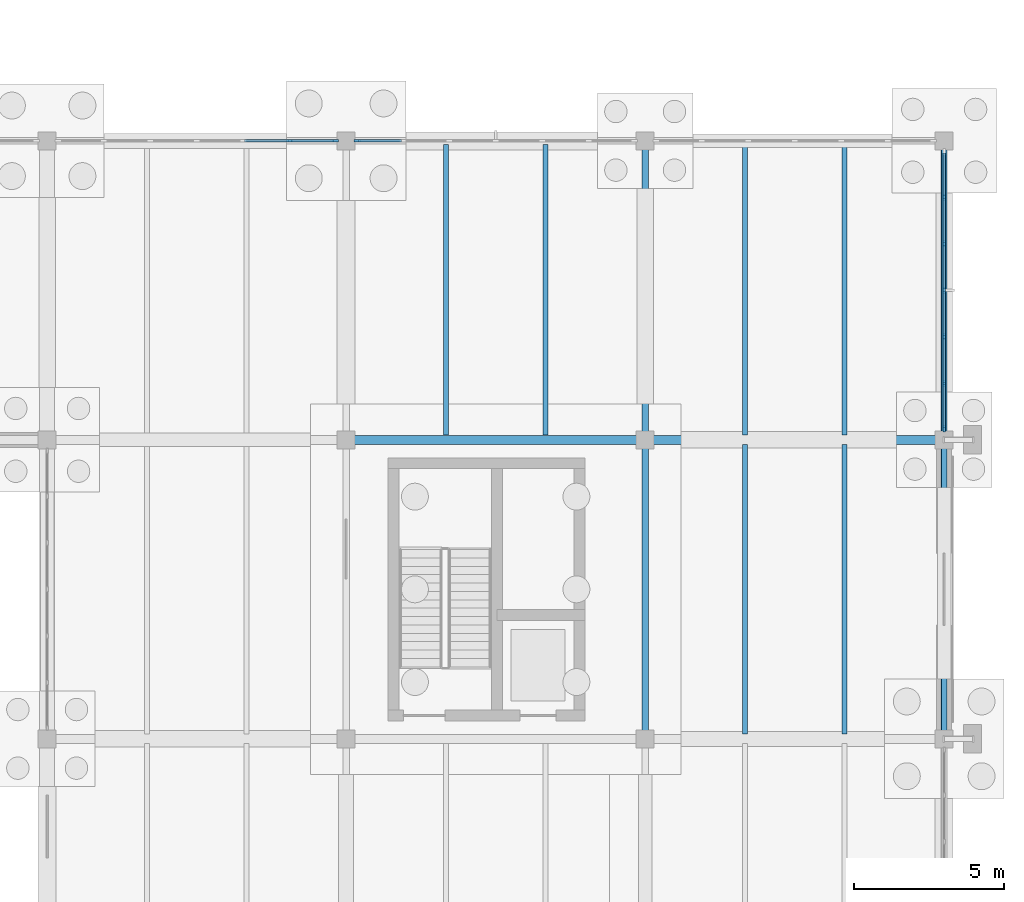
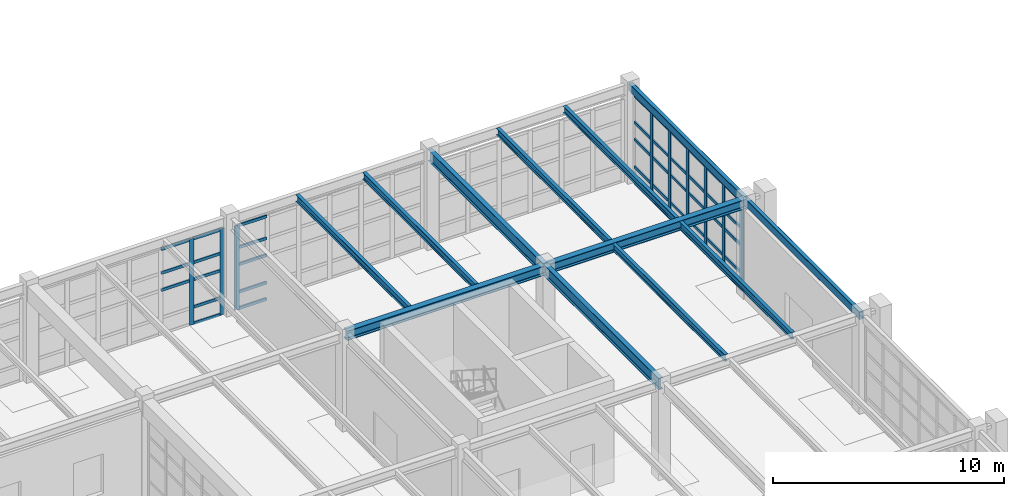
# One storey, part 76 of 145: 52 members, 12 beams, 3 elements without a shape of their own.
"""IFC4 building model written with IfcOpenShell, lengths in metres."""

from ifc_helpers import new_model, si_unit, direction, frame, origin, origin_2d, place, context, subcontext, project, spatial, rectangle, hollow_rectangle, i_section, extrude, material, layer, layer_set, material_profile, profile_set, type_object, element, aggregate, save


model = new_model("IFC4")

# Units and contexts
model_context = context("Model", 3, precision=1e-05, world=origin(), true_north=direction((0.0, 1.0)))
body_context = subcontext(model_context, "Body", "Model", "MODEL_VIEW")
ifc_project = project(units=[si_unit("LENGTHUNIT", "METRE"), si_unit("AREAUNIT", "SQUARE_METRE"), si_unit("VOLUMEUNIT", "CUBIC_METRE"), si_unit("PLANEANGLEUNIT", "RADIAN"), si_unit("MASSUNIT", "GRAM", prefix="KILO"), si_unit("THERMODYNAMICTEMPERATUREUNIT", "KELVIN"), si_unit("POWERUNIT", "WATT")], contexts=[model_context])

# Site, building, storey
site_placement = place(None, origin())
site = spatial("IfcSite", under=ifc_project, at=site_placement, CompositionType="ELEMENT")
building_placement = place(site_placement, origin())
building = spatial("IfcBuilding", under=site, at=building_placement, Name="Korenveer Ferry Terminal", CompositionType="ELEMENT")
storey_placement = place(building_placement, origin())
storey = spatial("IfcBuildingStorey", under=building, at=storey_placement, Name="L00", CompositionType="ELEMENT", Elevation=0.0)

# Curtain wall, members
ifc_material_1 = material(Name="Unitised bronze-and-glass curtain wall", Category="glass")
ifc_layer_1 = layer(ifc_material_1, 0.219970703125)
ifc_layer_set_1 = layer_set([ifc_layer_1], Name="Unitised bronze-and-glass curtain wall")
curtain_wall_type_1 = type_object("IfcCurtainWallType", Name="ENV-CW-10", PredefinedType="USERDEFINED", material=ifc_layer_set_1)
curtain_wall_1_placement = place(storey_placement, frame((146.330078125, 80.0, 0.0)))
curtain_wall_1 = element("IfcCurtainWall", 1, at=curtain_wall_1_placement, inside=storey, type_object=curtain_wall_type_1, Name="Lancet curtain wall CWX-L00-X146-156-Y80-80", ObjectType="UNITISED CURTAIN WALL", PredefinedType="USERDEFINED")
ifc_material_2 = material(Name="Anodised bronze aluminium", Category="aluminium")
ifc_material_profile_1 = material_profile(ifc_material_2, rectangle(XDim=0.074951171875, YDim=0.219970703125, at=origin_2d()), Name="ALU 75x220")
ifc_profile_set_1 = profile_set([ifc_material_profile_1], Name="Anodised bronze aluminium")
member_type_1 = type_object("IfcMemberType", Name="ENV-CWM-75X220", PredefinedType="MULLION", material=ifc_profile_set_1)
member_1_placement = place(storey_placement, frame((154.11328125, 80.0, 0.0), z_axis=(0.0, 0.0, 1.0), x_axis=(0.0, 1.0, 0.0)))
member_1 = element("IfcMember", 2, at=member_1_placement, type_object=member_type_1, Name="CW-10 mullion 6", PredefinedType="MULLION", context=body_context, shape_type="SweptSolid", body=[
    extrude(rectangle(XDim=0.074951171875, YDim=0.219970703125, at=origin_2d()), origin(), (0.0, 0.0, 1.0), 4.5400390625),
])
member_2_placement = place(storey_placement, frame((155.632568359375, 80.0, 0.0), z_axis=(0.0, 0.0, 1.0), x_axis=(0.0, 1.0, 0.0)))
member_2 = element("IfcMember", 3, at=member_2_placement, type_object=member_type_1, Name="CW-10 mullion 7", PredefinedType="MULLION", context=body_context, shape_type="SweptSolid", body=[
    extrude(rectangle(XDim=0.074951171875, YDim=0.219970703125, at=origin_2d()), origin(), (0.0, 0.0, 1.0), 4.5400390625),
])

# Curtain wall, member
ifc_layer_2 = layer(ifc_material_1, 0.219970703125)
ifc_layer_set_2 = layer_set([ifc_layer_2], Name="Unitised bronze-and-glass curtain wall")
curtain_wall_type_2 = type_object("IfcCurtainWallType", Name="ENV-CW-08", PredefinedType="USERDEFINED", material=ifc_layer_set_2)
curtain_wall_2_placement = place(storey_placement, frame((156.330078125, 80.0, 0.0)))
curtain_wall_2 = element("IfcCurtainWall", 4, at=curtain_wall_2_placement, inside=storey, type_object=curtain_wall_type_2, Name="Lancet curtain wall CWX-L00-X156-166-Y80-80", ObjectType="UNITISED CURTAIN WALL", PredefinedType="USERDEFINED")
member_3_placement = place(storey_placement, frame((156.367431640625, 80.0, 0.0), z_axis=(0.0, 0.0, 1.0), x_axis=(0.0, 1.0, 0.0)))
member_3 = element("IfcMember", 5, at=member_3_placement, type_object=member_type_1, Name="CW-08 mullion 1", PredefinedType="MULLION", context=body_context, shape_type="SweptSolid", body=[
    extrude(rectangle(XDim=0.074951171875, YDim=0.219970703125, at=origin_2d()), origin(), (0.0, 0.0, 1.0), 4.43994140625),
])

# Curtain wall, members
ifc_layer_3 = layer(ifc_material_1, 0.219970703125)
ifc_layer_set_3 = layer_set([ifc_layer_3], Name="Unitised bronze-and-glass curtain wall")
curtain_wall_type_3 = type_object("IfcCurtainWallType", Name="ENV-CW-36", PredefinedType="USERDEFINED", material=ifc_layer_set_3)
curtain_wall_3_placement = place(storey_placement, frame((176.0, 79.669921875, 0.0)))
curtain_wall_3 = element("IfcCurtainWall", 6, at=curtain_wall_3_placement, inside=storey, type_object=curtain_wall_type_3, Name="Lancet curtain wall CWX-L00-X176-176-Y70-80", ObjectType="UNITISED CURTAIN WALL", PredefinedType="USERDEFINED")
member_4_placement = place(storey_placement, frame((176.0, 78.11328125, 0.0), z_axis=(0.0, 0.0, 1.0), x_axis=(1.0, 0.0, 0.0)))
member_4 = element("IfcMember", 7, at=member_4_placement, type_object=member_type_1, Name="CW-36 mullion 2", PredefinedType="MULLION", context=body_context, shape_type="SweptSolid", body=[
    extrude(rectangle(XDim=0.074951171875, YDim=0.219970703125, at=origin_2d()), origin(), (0.0, 0.0, 1.0), 4.68994140625),
])
member_5_placement = place(storey_placement, frame((176.0, 76.556640625, 0.0), z_axis=(0.0, 0.0, 1.0), x_axis=(1.0, 0.0, 0.0)))
member_5 = element("IfcMember", 8, at=member_5_placement, type_object=member_type_1, Name="CW-36 mullion 3", PredefinedType="MULLION", context=body_context, shape_type="SweptSolid", body=[
    extrude(rectangle(XDim=0.074951171875, YDim=0.219970703125, at=origin_2d()), origin(), (0.0, 0.0, 1.0), 4.68994140625),
])
member_6_placement = place(storey_placement, frame((176.0, 75.0, 0.0), z_axis=(0.0, 0.0, 1.0), x_axis=(1.0, 0.0, 0.0)))
member_6 = element("IfcMember", 9, at=member_6_placement, type_object=member_type_1, Name="CW-36 mullion 4", PredefinedType="MULLION", context=body_context, shape_type="SweptSolid", body=[
    extrude(rectangle(XDim=0.074951171875, YDim=0.219970703125, at=origin_2d()), origin(), (0.0, 0.0, 1.0), 4.68994140625),
])
member_7_placement = place(storey_placement, frame((176.0, 73.443359375, 0.0), z_axis=(0.0, 0.0, 1.0), x_axis=(1.0, 0.0, 0.0)))
member_7 = element("IfcMember", 10, at=member_7_placement, type_object=member_type_1, Name="CW-36 mullion 5", PredefinedType="MULLION", context=body_context, shape_type="SweptSolid", body=[
    extrude(rectangle(XDim=0.074951171875, YDim=0.219970703125, at=origin_2d()), origin(), (0.0, 0.0, 1.0), 4.68994140625),
])
member_8_placement = place(storey_placement, frame((176.0, 71.88671875, 0.0), z_axis=(0.0, 0.0, 1.0), x_axis=(1.0, 0.0, 0.0)))
member_8 = element("IfcMember", 11, at=member_8_placement, type_object=member_type_1, Name="CW-36 mullion 6", PredefinedType="MULLION", context=body_context, shape_type="SweptSolid", body=[
    extrude(rectangle(XDim=0.074951171875, YDim=0.219970703125, at=origin_2d()), origin(), (0.0, 0.0, 1.0), 4.68994140625),
])
member_9_placement = place(storey_placement, frame((176.0, 70.367431640625, 0.0), z_axis=(0.0, 0.0, 1.0), x_axis=(1.0, 0.0, 0.0)))
member_9 = element("IfcMember", 12, at=member_9_placement, type_object=member_type_1, Name="CW-36 mullion 7", PredefinedType="MULLION", context=body_context, shape_type="SweptSolid", body=[
    extrude(rectangle(XDim=0.074951171875, YDim=0.219970703125, at=origin_2d()), origin(), (0.0, 0.0, 1.0), 4.68994140625),
])

# Member
ifc_material_profile_2 = material_profile(ifc_material_2, rectangle(XDim=0.074951171875, YDim=0.14990234375, at=origin_2d()), Name="ALU 75x150")
ifc_profile_set_2 = profile_set([ifc_material_profile_2], Name="Anodised bronze aluminium")
member_type_2 = type_object("IfcMemberType", Name="ENV-CWT-75X150", PredefinedType="USERDEFINED", material=ifc_profile_set_2)
member_10_placement = place(storey_placement, frame((152.59423828125, 80.0, 2.35009765625), z_axis=(1.0, 0.0, 0.0), x_axis=(0.0, 1.0, 0.0)))
member_10 = element("IfcMember", 13, at=member_10_placement, type_object=member_type_2, Name="CW-10 transom 5.3", ObjectType="TRANSOM", PredefinedType="USERDEFINED", context=body_context, shape_type="SweptSolid", body=[
    extrude(rectangle(XDim=0.074951171875, YDim=0.14990234375, at=origin_2d()), origin(), (0.0, 0.0, 1.0), 1.481689453125),
])

member_11_placement = place(storey_placement, frame((152.59423828125, 80.0, 3.25), z_axis=(1.0, 0.0, 0.0), x_axis=(0.0, 1.0, 0.0)))
member_11 = element("IfcMember", 14, at=member_11_placement, type_object=member_type_2, Name="CW-10 transom 5.4", ObjectType="TRANSOM", PredefinedType="USERDEFINED", context=body_context, shape_type="SweptSolid", body=[
    extrude(rectangle(XDim=0.074951171875, YDim=0.14990234375, at=origin_2d()), origin(), (0.0, 0.0, 1.0), 1.481689453125),
])

member_12_placement = place(storey_placement, frame((152.59423828125, 80.0, 4.50244140625), z_axis=(1.0, 0.0, 0.0), x_axis=(0.0, 1.0, 0.0)))
member_12 = element("IfcMember", 15, at=member_12_placement, type_object=member_type_2, Name="CW-10 transom 5.5", ObjectType="TRANSOM", PredefinedType="USERDEFINED", context=body_context, shape_type="SweptSolid", body=[
    extrude(rectangle(XDim=0.074951171875, YDim=0.14990234375, at=origin_2d()), origin(), (0.0, 0.0, 1.0), 1.481689453125),
])

member_13_placement = place(storey_placement, frame((154.15087890625, 80.0, 0.03759765625), z_axis=(1.0, 0.0, 0.0), x_axis=(0.0, 1.0, 0.0)))
member_13 = element("IfcMember", 16, at=member_13_placement, type_object=member_type_2, Name="CW-10 transom 6.1", ObjectType="TRANSOM", PredefinedType="USERDEFINED", context=body_context, shape_type="SweptSolid", body=[
    extrude(rectangle(XDim=0.074951171875, YDim=0.14990234375, at=origin_2d()), origin(), (0.0, 0.0, 1.0), 1.444091796875),
])

member_14_placement = place(storey_placement, frame((154.15087890625, 80.0, 0.89990234375), z_axis=(1.0, 0.0, 0.0), x_axis=(0.0, 1.0, 0.0)))
member_14 = element("IfcMember", 17, at=member_14_placement, type_object=member_type_2, Name="CW-10 transom 6.2", ObjectType="TRANSOM", PredefinedType="USERDEFINED", context=body_context, shape_type="SweptSolid", body=[
    extrude(rectangle(XDim=0.074951171875, YDim=0.14990234375, at=origin_2d()), origin(), (0.0, 0.0, 1.0), 1.444091796875),
])

member_15_placement = place(storey_placement, frame((154.15087890625, 80.0, 2.35009765625), z_axis=(1.0, 0.0, 0.0), x_axis=(0.0, 1.0, 0.0)))
member_15 = element("IfcMember", 18, at=member_15_placement, type_object=member_type_2, Name="CW-10 transom 6.3", ObjectType="TRANSOM", PredefinedType="USERDEFINED", context=body_context, shape_type="SweptSolid", body=[
    extrude(rectangle(XDim=0.074951171875, YDim=0.14990234375, at=origin_2d()), origin(), (0.0, 0.0, 1.0), 1.444091796875),
])

member_16_placement = place(storey_placement, frame((154.15087890625, 80.0, 3.25), z_axis=(1.0, 0.0, 0.0), x_axis=(0.0, 1.0, 0.0)))
member_16 = element("IfcMember", 19, at=member_16_placement, type_object=member_type_2, Name="CW-10 transom 6.4", ObjectType="TRANSOM", PredefinedType="USERDEFINED", context=body_context, shape_type="SweptSolid", body=[
    extrude(rectangle(XDim=0.074951171875, YDim=0.14990234375, at=origin_2d()), origin(), (0.0, 0.0, 1.0), 1.444091796875),
])

member_17_placement = place(storey_placement, frame((154.15087890625, 80.0, 4.50244140625), z_axis=(1.0, 0.0, 0.0), x_axis=(0.0, 1.0, 0.0)))
member_17 = element("IfcMember", 20, at=member_17_placement, type_object=member_type_2, Name="CW-10 transom 6.5", ObjectType="TRANSOM", PredefinedType="USERDEFINED", context=body_context, shape_type="SweptSolid", body=[
    extrude(rectangle(XDim=0.074951171875, YDim=0.14990234375, at=origin_2d()), origin(), (0.0, 0.0, 1.0), 1.444091796875),
])

aggregate(curtain_wall_1, [member_1, member_2, member_10, member_11, member_12, member_13, member_14, member_15, member_16, member_17])

member_18_placement = place(storey_placement, frame((156.405029296875, 80.0, 0.03759765625), z_axis=(1.0, 0.0, 0.0), x_axis=(0.0, 1.0, 0.0)))
member_18 = element("IfcMember", 21, at=member_18_placement, type_object=member_type_2, Name="CW-08 transom 1.1", ObjectType="TRANSOM", PredefinedType="USERDEFINED", context=body_context, shape_type="SweptSolid", body=[
    extrude(rectangle(XDim=0.074951171875, YDim=0.14990234375, at=origin_2d()), origin(), (0.0, 0.0, 1.0), 1.444091796875),
])

member_19_placement = place(storey_placement, frame((156.405029296875, 80.0, 0.89990234375), z_axis=(1.0, 0.0, 0.0), x_axis=(0.0, 1.0, 0.0)))
member_19 = element("IfcMember", 22, at=member_19_placement, type_object=member_type_2, Name="CW-08 transom 1.2", ObjectType="TRANSOM", PredefinedType="USERDEFINED", context=body_context, shape_type="SweptSolid", body=[
    extrude(rectangle(XDim=0.074951171875, YDim=0.14990234375, at=origin_2d()), origin(), (0.0, 0.0, 1.0), 1.444091796875),
])

member_20_placement = place(storey_placement, frame((156.405029296875, 80.0, 2.35009765625), z_axis=(1.0, 0.0, 0.0), x_axis=(0.0, 1.0, 0.0)))
member_20 = element("IfcMember", 23, at=member_20_placement, type_object=member_type_2, Name="CW-08 transom 1.3", ObjectType="TRANSOM", PredefinedType="USERDEFINED", context=body_context, shape_type="SweptSolid", body=[
    extrude(rectangle(XDim=0.074951171875, YDim=0.14990234375, at=origin_2d()), origin(), (0.0, 0.0, 1.0), 1.444091796875),
])

member_21_placement = place(storey_placement, frame((156.405029296875, 80.0, 3.25), z_axis=(1.0, 0.0, 0.0), x_axis=(0.0, 1.0, 0.0)))
member_21 = element("IfcMember", 24, at=member_21_placement, type_object=member_type_2, Name="CW-08 transom 1.4", ObjectType="TRANSOM", PredefinedType="USERDEFINED", context=body_context, shape_type="SweptSolid", body=[
    extrude(rectangle(XDim=0.074951171875, YDim=0.14990234375, at=origin_2d()), origin(), (0.0, 0.0, 1.0), 1.444091796875),
])

member_22_placement = place(storey_placement, frame((156.405029296875, 80.0, 4.402587890625), z_axis=(1.0, 0.0, 0.0), x_axis=(0.0, 1.0, 0.0)))
member_22 = element("IfcMember", 25, at=member_22_placement, type_object=member_type_2, Name="CW-08 transom 1.5", ObjectType="TRANSOM", PredefinedType="USERDEFINED", context=body_context, shape_type="SweptSolid", body=[
    extrude(rectangle(XDim=0.074951171875, YDim=0.14990234375, at=origin_2d()), origin(), (0.0, 0.0, 1.0), 1.444091796875),
])

aggregate(curtain_wall_2, [member_3, member_18, member_19, member_20, member_21, member_22])

member_23_placement = place(storey_placement, frame((176.0, 79.594970703125, 0.03759765625), z_axis=(0.0, -1.0, 0.0), x_axis=(1.0, 0.0, 0.0)))
member_23 = element("IfcMember", 26, at=member_23_placement, type_object=member_type_2, Name="CW-36 transom 1.1", ObjectType="TRANSOM", PredefinedType="USERDEFINED", context=body_context, shape_type="SweptSolid", body=[
    extrude(rectangle(XDim=0.074951171875, YDim=0.14990234375, at=origin_2d()), origin(), (0.0, 0.0, 1.0), 1.444091796875),
])

member_24_placement = place(storey_placement, frame((176.0, 79.594970703125, 0.89990234375), z_axis=(0.0, -1.0, 0.0), x_axis=(1.0, 0.0, 0.0)))
member_24 = element("IfcMember", 27, at=member_24_placement, type_object=member_type_2, Name="CW-36 transom 1.2", ObjectType="TRANSOM", PredefinedType="USERDEFINED", context=body_context, shape_type="SweptSolid", body=[
    extrude(rectangle(XDim=0.074951171875, YDim=0.14990234375, at=origin_2d()), origin(), (0.0, 0.0, 1.0), 1.444091796875),
])

member_25_placement = place(storey_placement, frame((176.0, 79.594970703125, 2.35009765625), z_axis=(0.0, -1.0, 0.0), x_axis=(1.0, 0.0, 0.0)))
member_25 = element("IfcMember", 28, at=member_25_placement, type_object=member_type_2, Name="CW-36 transom 1.3", ObjectType="TRANSOM", PredefinedType="USERDEFINED", context=body_context, shape_type="SweptSolid", body=[
    extrude(rectangle(XDim=0.074951171875, YDim=0.14990234375, at=origin_2d()), origin(), (0.0, 0.0, 1.0), 1.444091796875),
])

member_26_placement = place(storey_placement, frame((176.0, 79.594970703125, 3.25), z_axis=(0.0, -1.0, 0.0), x_axis=(1.0, 0.0, 0.0)))
member_26 = element("IfcMember", 29, at=member_26_placement, type_object=member_type_2, Name="CW-36 transom 1.4", ObjectType="TRANSOM", PredefinedType="USERDEFINED", context=body_context, shape_type="SweptSolid", body=[
    extrude(rectangle(XDim=0.074951171875, YDim=0.14990234375, at=origin_2d()), origin(), (0.0, 0.0, 1.0), 1.444091796875),
])

member_27_placement = place(storey_placement, frame((176.0, 79.594970703125, 4.652587890625), z_axis=(0.0, -1.0, 0.0), x_axis=(1.0, 0.0, 0.0)))
member_27 = element("IfcMember", 30, at=member_27_placement, type_object=member_type_2, Name="CW-36 transom 1.5", ObjectType="TRANSOM", PredefinedType="USERDEFINED", context=body_context, shape_type="SweptSolid", body=[
    extrude(rectangle(XDim=0.074951171875, YDim=0.14990234375, at=origin_2d()), origin(), (0.0, 0.0, 1.0), 1.444091796875),
])

member_28_placement = place(storey_placement, frame((176.0, 78.075927734375, 0.03759765625), z_axis=(0.0, -1.0, 0.0), x_axis=(1.0, 0.0, 0.0)))
member_28 = element("IfcMember", 31, at=member_28_placement, type_object=member_type_2, Name="CW-36 transom 2.1", ObjectType="TRANSOM", PredefinedType="USERDEFINED", context=body_context, shape_type="SweptSolid", body=[
    extrude(rectangle(XDim=0.074951171875, YDim=0.14990234375, at=origin_2d()), origin(), (0.0, 0.0, 1.0), 1.481689453125),
])

member_29_placement = place(storey_placement, frame((176.0, 78.075927734375, 0.89990234375), z_axis=(0.0, -1.0, 0.0), x_axis=(1.0, 0.0, 0.0)))
member_29 = element("IfcMember", 32, at=member_29_placement, type_object=member_type_2, Name="CW-36 transom 2.2", ObjectType="TRANSOM", PredefinedType="USERDEFINED", context=body_context, shape_type="SweptSolid", body=[
    extrude(rectangle(XDim=0.074951171875, YDim=0.14990234375, at=origin_2d()), origin(), (0.0, 0.0, 1.0), 1.481689453125),
])

member_30_placement = place(storey_placement, frame((176.0, 78.075927734375, 2.35009765625), z_axis=(0.0, -1.0, 0.0), x_axis=(1.0, 0.0, 0.0)))
member_30 = element("IfcMember", 33, at=member_30_placement, type_object=member_type_2, Name="CW-36 transom 2.3", ObjectType="TRANSOM", PredefinedType="USERDEFINED", context=body_context, shape_type="SweptSolid", body=[
    extrude(rectangle(XDim=0.074951171875, YDim=0.14990234375, at=origin_2d()), origin(), (0.0, 0.0, 1.0), 1.481689453125),
])

member_31_placement = place(storey_placement, frame((176.0, 78.075927734375, 3.25), z_axis=(0.0, -1.0, 0.0), x_axis=(1.0, 0.0, 0.0)))
member_31 = element("IfcMember", 34, at=member_31_placement, type_object=member_type_2, Name="CW-36 transom 2.4", ObjectType="TRANSOM", PredefinedType="USERDEFINED", context=body_context, shape_type="SweptSolid", body=[
    extrude(rectangle(XDim=0.074951171875, YDim=0.14990234375, at=origin_2d()), origin(), (0.0, 0.0, 1.0), 1.481689453125),
])

member_32_placement = place(storey_placement, frame((176.0, 78.075927734375, 4.652587890625), z_axis=(0.0, -1.0, 0.0), x_axis=(1.0, 0.0, 0.0)))
member_32 = element("IfcMember", 35, at=member_32_placement, type_object=member_type_2, Name="CW-36 transom 2.5", ObjectType="TRANSOM", PredefinedType="USERDEFINED", context=body_context, shape_type="SweptSolid", body=[
    extrude(rectangle(XDim=0.074951171875, YDim=0.14990234375, at=origin_2d()), origin(), (0.0, 0.0, 1.0), 1.481689453125),
])

member_33_placement = place(storey_placement, frame((176.0, 76.519287109375, 0.03759765625), z_axis=(0.0, -1.0, 0.0), x_axis=(1.0, 0.0, 0.0)))
member_33 = element("IfcMember", 36, at=member_33_placement, type_object=member_type_2, Name="CW-36 transom 3.1", ObjectType="TRANSOM", PredefinedType="USERDEFINED", context=body_context, shape_type="SweptSolid", body=[
    extrude(rectangle(XDim=0.074951171875, YDim=0.14990234375, at=origin_2d()), origin(), (0.0, 0.0, 1.0), 1.481689453125),
])

member_34_placement = place(storey_placement, frame((176.0, 76.519287109375, 0.89990234375), z_axis=(0.0, -1.0, 0.0), x_axis=(1.0, 0.0, 0.0)))
member_34 = element("IfcMember", 37, at=member_34_placement, type_object=member_type_2, Name="CW-36 transom 3.2", ObjectType="TRANSOM", PredefinedType="USERDEFINED", context=body_context, shape_type="SweptSolid", body=[
    extrude(rectangle(XDim=0.074951171875, YDim=0.14990234375, at=origin_2d()), origin(), (0.0, 0.0, 1.0), 1.481689453125),
])

member_35_placement = place(storey_placement, frame((176.0, 76.519287109375, 2.35009765625), z_axis=(0.0, -1.0, 0.0), x_axis=(1.0, 0.0, 0.0)))
member_35 = element("IfcMember", 38, at=member_35_placement, type_object=member_type_2, Name="CW-36 transom 3.3", ObjectType="TRANSOM", PredefinedType="USERDEFINED", context=body_context, shape_type="SweptSolid", body=[
    extrude(rectangle(XDim=0.074951171875, YDim=0.14990234375, at=origin_2d()), origin(), (0.0, 0.0, 1.0), 1.481689453125),
])

member_36_placement = place(storey_placement, frame((176.0, 76.519287109375, 3.25), z_axis=(0.0, -1.0, 0.0), x_axis=(1.0, 0.0, 0.0)))
member_36 = element("IfcMember", 39, at=member_36_placement, type_object=member_type_2, Name="CW-36 transom 3.4", ObjectType="TRANSOM", PredefinedType="USERDEFINED", context=body_context, shape_type="SweptSolid", body=[
    extrude(rectangle(XDim=0.074951171875, YDim=0.14990234375, at=origin_2d()), origin(), (0.0, 0.0, 1.0), 1.481689453125),
])

member_37_placement = place(storey_placement, frame((176.0, 76.519287109375, 4.652587890625), z_axis=(0.0, -1.0, 0.0), x_axis=(1.0, 0.0, 0.0)))
member_37 = element("IfcMember", 40, at=member_37_placement, type_object=member_type_2, Name="CW-36 transom 3.5", ObjectType="TRANSOM", PredefinedType="USERDEFINED", context=body_context, shape_type="SweptSolid", body=[
    extrude(rectangle(XDim=0.074951171875, YDim=0.14990234375, at=origin_2d()), origin(), (0.0, 0.0, 1.0), 1.481689453125),
])

member_38_placement = place(storey_placement, frame((176.0, 74.96240234375, 0.03759765625), z_axis=(0.0, -1.0, 0.0), x_axis=(1.0, 0.0, 0.0)))
member_38 = element("IfcMember", 41, at=member_38_placement, type_object=member_type_2, Name="CW-36 transom 4.1", ObjectType="TRANSOM", PredefinedType="USERDEFINED", context=body_context, shape_type="SweptSolid", body=[
    extrude(rectangle(XDim=0.074951171875, YDim=0.14990234375, at=origin_2d()), origin(), (0.0, 0.0, 1.0), 1.481689453125),
])

member_39_placement = place(storey_placement, frame((176.0, 74.96240234375, 0.89990234375), z_axis=(0.0, -1.0, 0.0), x_axis=(1.0, 0.0, 0.0)))
member_39 = element("IfcMember", 42, at=member_39_placement, type_object=member_type_2, Name="CW-36 transom 4.2", ObjectType="TRANSOM", PredefinedType="USERDEFINED", context=body_context, shape_type="SweptSolid", body=[
    extrude(rectangle(XDim=0.074951171875, YDim=0.14990234375, at=origin_2d()), origin(), (0.0, 0.0, 1.0), 1.481689453125),
])

member_40_placement = place(storey_placement, frame((176.0, 74.96240234375, 2.35009765625), z_axis=(0.0, -1.0, 0.0), x_axis=(1.0, 0.0, 0.0)))
member_40 = element("IfcMember", 43, at=member_40_placement, type_object=member_type_2, Name="CW-36 transom 4.3", ObjectType="TRANSOM", PredefinedType="USERDEFINED", context=body_context, shape_type="SweptSolid", body=[
    extrude(rectangle(XDim=0.074951171875, YDim=0.14990234375, at=origin_2d()), origin(), (0.0, 0.0, 1.0), 1.481689453125),
])

member_41_placement = place(storey_placement, frame((176.0, 74.96240234375, 3.25), z_axis=(0.0, -1.0, 0.0), x_axis=(1.0, 0.0, 0.0)))
member_41 = element("IfcMember", 44, at=member_41_placement, type_object=member_type_2, Name="CW-36 transom 4.4", ObjectType="TRANSOM", PredefinedType="USERDEFINED", context=body_context, shape_type="SweptSolid", body=[
    extrude(rectangle(XDim=0.074951171875, YDim=0.14990234375, at=origin_2d()), origin(), (0.0, 0.0, 1.0), 1.481689453125),
])

member_42_placement = place(storey_placement, frame((176.0, 74.96240234375, 4.652587890625), z_axis=(0.0, -1.0, 0.0), x_axis=(1.0, 0.0, 0.0)))
member_42 = element("IfcMember", 45, at=member_42_placement, type_object=member_type_2, Name="CW-36 transom 4.5", ObjectType="TRANSOM", PredefinedType="USERDEFINED", context=body_context, shape_type="SweptSolid", body=[
    extrude(rectangle(XDim=0.074951171875, YDim=0.14990234375, at=origin_2d()), origin(), (0.0, 0.0, 1.0), 1.481689453125),
])

member_43_placement = place(storey_placement, frame((176.0, 73.40576171875, 0.03759765625), z_axis=(0.0, -1.0, 0.0), x_axis=(1.0, 0.0, 0.0)))
member_43 = element("IfcMember", 46, at=member_43_placement, type_object=member_type_2, Name="CW-36 transom 5.1", ObjectType="TRANSOM", PredefinedType="USERDEFINED", context=body_context, shape_type="SweptSolid", body=[
    extrude(rectangle(XDim=0.074951171875, YDim=0.14990234375, at=origin_2d()), origin(), (0.0, 0.0, 1.0), 1.481689453125),
])

member_44_placement = place(storey_placement, frame((176.0, 73.40576171875, 0.89990234375), z_axis=(0.0, -1.0, 0.0), x_axis=(1.0, 0.0, 0.0)))
member_44 = element("IfcMember", 47, at=member_44_placement, type_object=member_type_2, Name="CW-36 transom 5.2", ObjectType="TRANSOM", PredefinedType="USERDEFINED", context=body_context, shape_type="SweptSolid", body=[
    extrude(rectangle(XDim=0.074951171875, YDim=0.14990234375, at=origin_2d()), origin(), (0.0, 0.0, 1.0), 1.481689453125),
])

member_45_placement = place(storey_placement, frame((176.0, 73.40576171875, 2.35009765625), z_axis=(0.0, -1.0, 0.0), x_axis=(1.0, 0.0, 0.0)))
member_45 = element("IfcMember", 48, at=member_45_placement, type_object=member_type_2, Name="CW-36 transom 5.3", ObjectType="TRANSOM", PredefinedType="USERDEFINED", context=body_context, shape_type="SweptSolid", body=[
    extrude(rectangle(XDim=0.074951171875, YDim=0.14990234375, at=origin_2d()), origin(), (0.0, 0.0, 1.0), 1.481689453125),
])

member_46_placement = place(storey_placement, frame((176.0, 73.40576171875, 3.25), z_axis=(0.0, -1.0, 0.0), x_axis=(1.0, 0.0, 0.0)))
member_46 = element("IfcMember", 49, at=member_46_placement, type_object=member_type_2, Name="CW-36 transom 5.4", ObjectType="TRANSOM", PredefinedType="USERDEFINED", context=body_context, shape_type="SweptSolid", body=[
    extrude(rectangle(XDim=0.074951171875, YDim=0.14990234375, at=origin_2d()), origin(), (0.0, 0.0, 1.0), 1.481689453125),
])

member_47_placement = place(storey_placement, frame((176.0, 73.40576171875, 4.652587890625), z_axis=(0.0, -1.0, 0.0), x_axis=(1.0, 0.0, 0.0)))
member_47 = element("IfcMember", 50, at=member_47_placement, type_object=member_type_2, Name="CW-36 transom 5.5", ObjectType="TRANSOM", PredefinedType="USERDEFINED", context=body_context, shape_type="SweptSolid", body=[
    extrude(rectangle(XDim=0.074951171875, YDim=0.14990234375, at=origin_2d()), origin(), (0.0, 0.0, 1.0), 1.481689453125),
])

member_48_placement = place(storey_placement, frame((176.0, 71.84912109375, 0.03759765625), z_axis=(0.0, -1.0, 0.0), x_axis=(1.0, 0.0, 0.0)))
member_48 = element("IfcMember", 51, at=member_48_placement, type_object=member_type_2, Name="CW-36 transom 6.1", ObjectType="TRANSOM", PredefinedType="USERDEFINED", context=body_context, shape_type="SweptSolid", body=[
    extrude(rectangle(XDim=0.074951171875, YDim=0.14990234375, at=origin_2d()), origin(), (0.0, 0.0, 1.0), 1.444091796875),
])

member_49_placement = place(storey_placement, frame((176.0, 71.84912109375, 0.89990234375), z_axis=(0.0, -1.0, 0.0), x_axis=(1.0, 0.0, 0.0)))
member_49 = element("IfcMember", 52, at=member_49_placement, type_object=member_type_2, Name="CW-36 transom 6.2", ObjectType="TRANSOM", PredefinedType="USERDEFINED", context=body_context, shape_type="SweptSolid", body=[
    extrude(rectangle(XDim=0.074951171875, YDim=0.14990234375, at=origin_2d()), origin(), (0.0, 0.0, 1.0), 1.444091796875),
])

member_50_placement = place(storey_placement, frame((176.0, 71.84912109375, 2.35009765625), z_axis=(0.0, -1.0, 0.0), x_axis=(1.0, 0.0, 0.0)))
member_50 = element("IfcMember", 53, at=member_50_placement, type_object=member_type_2, Name="CW-36 transom 6.3", ObjectType="TRANSOM", PredefinedType="USERDEFINED", context=body_context, shape_type="SweptSolid", body=[
    extrude(rectangle(XDim=0.074951171875, YDim=0.14990234375, at=origin_2d()), origin(), (0.0, 0.0, 1.0), 1.444091796875),
])

member_51_placement = place(storey_placement, frame((176.0, 71.84912109375, 3.25), z_axis=(0.0, -1.0, 0.0), x_axis=(1.0, 0.0, 0.0)))
member_51 = element("IfcMember", 54, at=member_51_placement, type_object=member_type_2, Name="CW-36 transom 6.4", ObjectType="TRANSOM", PredefinedType="USERDEFINED", context=body_context, shape_type="SweptSolid", body=[
    extrude(rectangle(XDim=0.074951171875, YDim=0.14990234375, at=origin_2d()), origin(), (0.0, 0.0, 1.0), 1.444091796875),
])

member_52_placement = place(storey_placement, frame((176.0, 71.84912109375, 4.652587890625), z_axis=(0.0, -1.0, 0.0), x_axis=(1.0, 0.0, 0.0)))
member_52 = element("IfcMember", 55, at=member_52_placement, type_object=member_type_2, Name="CW-36 transom 6.5", ObjectType="TRANSOM", PredefinedType="USERDEFINED", context=body_context, shape_type="SweptSolid", body=[
    extrude(rectangle(XDim=0.074951171875, YDim=0.14990234375, at=origin_2d()), origin(), (0.0, 0.0, 1.0), 1.444091796875),
])

aggregate(curtain_wall_3, [member_4, member_5, member_6, member_7, member_8, member_9, member_23, member_24, member_25, member_26, member_27, member_28, member_29, member_30, member_31, member_32, member_33, member_34, member_35, member_36, member_37, member_38, member_39, member_40, member_41, member_42, member_43, member_44, member_45, member_46, member_47, member_48, member_49, member_50, member_51, member_52])

# Beams
ifc_material_3 = material(Name="Steel S355", Category="steel")
ifc_material_profile_3 = material_profile(ifc_material_3, i_section(OverallWidth=0.300048828125, OverallDepth=0.5, WebThickness=0.014404296875, FlangeThickness=0.028076171875, FilletRadius=0.027099609375, at=origin_2d()), Name="HEB 500")
ifc_profile_set_3 = profile_set([ifc_material_profile_3], Name="Steel S355")
beam_type_1 = type_object("IfcBeamType", Name="STR-BM-HEB500", PredefinedType="BEAM", material=ifc_profile_set_3)
for number, where, z_axis, x_axis, name in (
    (56, (156.02001953125, 70.0, 4.8701171875), (1.0, 0.0, 0.0), (0.0, 1.0, 0.0), "Primary X girder BMX-L01-X156-166-Y70"),
    (57, (166.02001953125, 70.0, 4.8701171875), (1.0, 0.0, 0.0), (0.0, 1.0, 0.0), "Primary X girder BMX-L01-X166-176-Y70"),
):
    element("IfcBeam", number, at=place(storey_placement, frame(where, z_axis=z_axis, x_axis=x_axis)), inside=storey, type_object=beam_type_1, Name=name, PredefinedType="BEAM", context=body_context, shape_type="SweptSolid", body=[
        extrude(i_section(OverallWidth=0.300048828125, OverallDepth=0.5, WebThickness=0.014404296875, FlangeThickness=0.028076171875, FilletRadius=0.027099609375, at=origin_2d()), origin(), (0.0, 0.0, 1.0), 9.9599609375),
    ])
ifc_material_profile_4 = material_profile(ifc_material_3, i_section(OverallWidth=0.219970703125, OverallDepth=0.60009765625, WebThickness=0.011962890625, FlangeThickness=0.01904296875, FilletRadius=0.02392578125, at=origin_2d()), Name="IPE 600")
ifc_profile_set_4 = profile_set([ifc_material_profile_4], Name="Steel S355")
beam_type_2 = type_object("IfcBeamType", Name="STR-BM-IPE600", PredefinedType="BEAM", material=ifc_profile_set_4)
for number, where, z_axis, x_axis, name in (
    (58, (166.0, 60.02001953125, 4.820068359375), (0.0, 1.0, 0.0), (-1.0, 0.0, 0.0), "Primary Y girder BMY-L01-X166-Y60-70"),
    (59, (166.0, 70.02001953125, 4.820068359375), (0.0, 1.0, 0.0), (-1.0, 0.0, 0.0), "Primary Y girder BMY-L01-X166-Y70-80"),
):
    element("IfcBeam", number, at=place(storey_placement, frame(where, z_axis=z_axis, x_axis=x_axis)), inside=storey, type_object=beam_type_2, Name=name, PredefinedType="BEAM", context=body_context, shape_type="SweptSolid", body=[
        extrude(i_section(OverallWidth=0.219970703125, OverallDepth=0.60009765625, WebThickness=0.011962890625, FlangeThickness=0.01904296875, FilletRadius=0.02392578125, at=origin_2d()), origin(), (0.0, 0.0, 1.0), 9.9599609375),
    ])
ifc_material_profile_5 = material_profile(ifc_material_3, i_section(OverallWidth=0.169921875, OverallDepth=0.360107421875, WebThickness=0.008056640625, FlangeThickness=0.0126953125, FilletRadius=0.01806640625, at=origin_2d()), Name="IPE 360")
ifc_profile_set_5 = profile_set([ifc_material_profile_5], Name="Steel S355")
beam_type_3 = type_object("IfcBeamType", Name="STR-JST-IPE360", PredefinedType="JOIST", material=ifc_profile_set_5)
for number, where, z_axis, x_axis, name in (
    (60, (159.333251953125, 70.159912109375, 4.93994140625), (0.0, 1.0, 0.0), (-1.0, 0.0, 0.0), "Secondary composite joist JST-L01-X1593-Y70-80"),
    (61, (162.666748046875, 70.159912109375, 4.93994140625), (0.0, 1.0, 0.0), (-1.0, 0.0, 0.0), "Secondary composite joist JST-L01-X1627-Y70-80"),
):
    element("IfcBeam", number, at=place(storey_placement, frame(where, z_axis=z_axis, x_axis=x_axis)), inside=storey, type_object=beam_type_3, Name=name, PredefinedType="JOIST", context=body_context, shape_type="SweptSolid", body=[
        extrude(i_section(OverallWidth=0.169921875, OverallDepth=0.360107421875, WebThickness=0.008056640625, FlangeThickness=0.0126953125, FilletRadius=0.01806640625, at=origin_2d()), origin(), (0.0, 0.0, 1.0), 9.72509765625),
    ])
for number, where, z_axis, x_axis, name in (
    (62, (169.333251953125, 60.159912109375, 4.93994140625), (0.0, 1.0, 0.0), (-1.0, 0.0, 0.0), "Secondary composite joist JST-L01-X1693-Y60-70"),
    (63, (172.666748046875, 60.159912109375, 4.93994140625), (0.0, 1.0, 0.0), (-1.0, 0.0, 0.0), "Secondary composite joist JST-L01-X1727-Y60-70"),
):
    element("IfcBeam", number, at=place(storey_placement, frame(where, z_axis=z_axis, x_axis=x_axis)), inside=storey, type_object=beam_type_3, Name=name, PredefinedType="JOIST", context=body_context, shape_type="SweptSolid", body=[
        extrude(i_section(OverallWidth=0.169921875, OverallDepth=0.360107421875, WebThickness=0.008056640625, FlangeThickness=0.0126953125, FilletRadius=0.01806640625, at=origin_2d()), origin(), (0.0, 0.0, 1.0), 9.68017578125),
    ])
for number, where, z_axis, x_axis, name in (
    (64, (169.333251953125, 70.159912109375, 4.93994140625), (0.0, 1.0, 0.0), (-1.0, 0.0, 0.0), "Secondary composite joist JST-L01-X1693-Y70-80"),
    (65, (172.666748046875, 70.159912109375, 4.93994140625), (0.0, 1.0, 0.0), (-1.0, 0.0, 0.0), "Secondary composite joist JST-L01-X1727-Y70-80"),
):
    element("IfcBeam", number, at=place(storey_placement, frame(where, z_axis=z_axis, x_axis=x_axis)), inside=storey, type_object=beam_type_3, Name=name, PredefinedType="JOIST", context=body_context, shape_type="SweptSolid", body=[
        extrude(i_section(OverallWidth=0.169921875, OverallDepth=0.360107421875, WebThickness=0.008056640625, FlangeThickness=0.0126953125, FilletRadius=0.01806640625, at=origin_2d()), origin(), (0.0, 0.0, 1.0), 9.72509765625),
    ])
ifc_material_profile_6 = material_profile(ifc_material_3, hollow_rectangle(XDim=0.199951171875, YDim=0.39990234375, WallThickness=0.01611328125, InnerFilletRadius=0.01611328125, OuterFilletRadius=0.02392578125, at=origin_2d()), Name="RHS 400x200x16")
ifc_profile_set_6 = profile_set([ifc_material_profile_6], Name="Steel S355")
beam_type_4 = type_object("IfcBeamType", Name="STR-SPD-RHS400", PredefinedType="SPANDREL", material=ifc_profile_set_6)
for number, where, z_axis, x_axis, name in (
    (66, (176.0, 60.02001953125, 4.919921875), (0.0, 1.0, 0.0), (-1.0, 0.0, 0.0), "Primary Y girder BMY-L01-X176-Y60-70"),
    (67, (176.0, 70.02001953125, 4.919921875), (0.0, 1.0, 0.0), (-1.0, 0.0, 0.0), "Primary Y girder BMY-L01-X176-Y70-80"),
):
    element("IfcBeam", number, at=place(storey_placement, frame(where, z_axis=z_axis, x_axis=x_axis)), inside=storey, type_object=beam_type_4, Name=name, PredefinedType="SPANDREL", context=body_context, shape_type="SweptSolid", body=[
        extrude(hollow_rectangle(XDim=0.199951171875, YDim=0.39990234375, WallThickness=0.01611328125, InnerFilletRadius=0.01611328125, OuterFilletRadius=0.02392578125, at=origin_2d()), origin(), (0.0, 0.0, 1.0), 9.9599609375),
    ])

save(model, "model.ifc")
